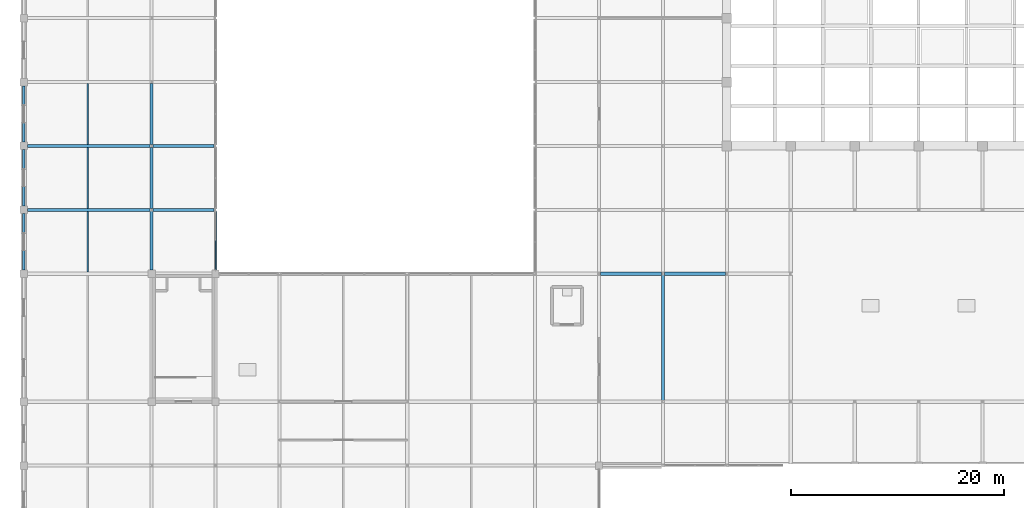
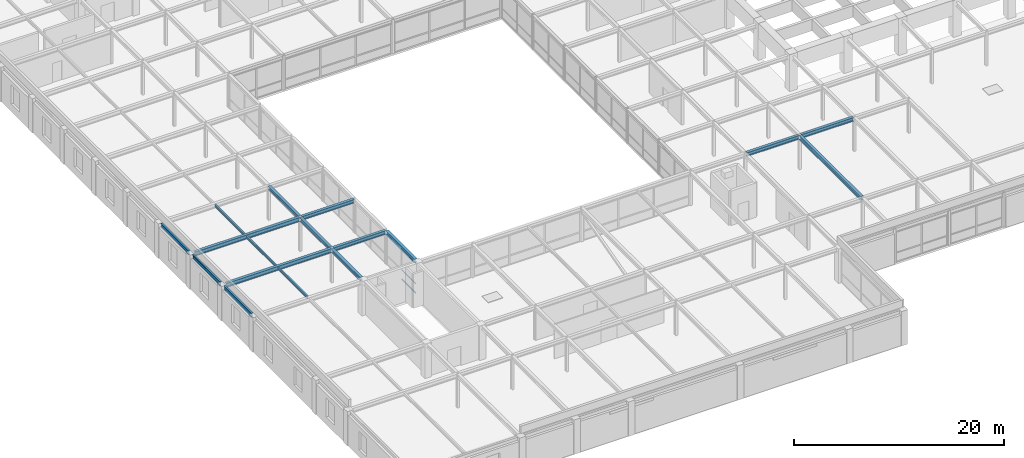
# One storey, part 41 of 111: 17 beams, 3 members, 1 element without a shape of its own.
"""IFC4 building model written with IfcOpenShell, lengths in metres."""

from ifc_helpers import new_model, si_unit, direction, frame, origin, origin_2d, place, context, subcontext, project, spatial, hollow_rectangle, i_section, extrude, material, layer, layer_set, material_profile, profile_set, type_object, element, aggregate, save


model = new_model("IFC4")

# Units and contexts
model_context = context("Model", 3, precision=1e-05, world=origin(), true_north=direction((0.0, 1.0)))
body_context = subcontext(model_context, "Body", "Model", "MODEL_VIEW")
ifc_project = project(units=[si_unit("LENGTHUNIT", "METRE"), si_unit("AREAUNIT", "SQUARE_METRE"), si_unit("VOLUMEUNIT", "CUBIC_METRE"), si_unit("PLANEANGLEUNIT", "RADIAN"), si_unit("MASSUNIT", "GRAM", prefix="KILO")], contexts=[model_context])

# Site, building, storey
site_placement = place(None, origin())
site = spatial("IfcSite", under=ifc_project, at=site_placement, CompositionType="ELEMENT")
building_placement = place(site_placement, origin())
building = spatial("IfcBuilding", under=site, at=building_placement, Name="Zlatovratsky Civic Hall", CompositionType="ELEMENT")
storey_placement = place(building_placement, frame((0.0, 0.0, 16.5)))
storey = spatial("IfcBuildingStorey", under=building, at=storey_placement, Name="L04", CompositionType="ELEMENT", Elevation=16.5)

# Beams
ifc_material_1 = material(Name="Steel S355", Category="steel")
ifc_material_profile_1 = material_profile(ifc_material_1, i_section(OverallWidth=0.300048828125, OverallDepth=0.487060546875, WebThickness=0.014404296875, FlangeThickness=0.017578125, FilletRadius=0.02392578125, at=origin_2d()), Name="50Sh2")
ifc_profile_set_1 = profile_set([ifc_material_profile_1], Name="Steel S355")
beam_type_1 = type_object("IfcBeamType", Name="Beam_ArchiveGirder_50Sh2", PredefinedType="BEAM", material=ifc_profile_set_1)
for number, where, z_axis, x_axis, name in (
    (1, (0.35009765625, 36.0, 3.756591796875), (1.0, 0.0, 0.0), (0.0, 1.0, 0.0), "BM-3274"),
    (2, (0.35009765625, 42.0, 3.756591796875), (1.0, 0.0, 0.0), (0.0, 1.0, 0.0), "BM-3290"),
):
    element("IfcBeam", number, at=place(storey_placement, frame(where, z_axis=z_axis, x_axis=x_axis)), inside=storey, type_object=beam_type_1, Name=name, PredefinedType="BEAM", context=body_context, shape_type="SweptSolid", body=[
        extrude(i_section(OverallWidth=0.300048828125, OverallDepth=0.487060546875, WebThickness=0.014404296875, FlangeThickness=0.017578125, FilletRadius=0.02392578125, at=origin_2d()), origin(), (0.0, 0.0, 1.0), 11.52490234375),
    ])
beam_1_placement = place(storey_placement, frame((60.0, 18.125, 3.756591796875), z_axis=(0.0, 1.0, 0.0), x_axis=(-1.0, 0.0, 0.0)))
element("IfcBeam", 3, at=beam_1_placement, inside=storey, type_object=beam_type_1, Name="BM-3620", PredefinedType="BEAM", context=body_context, shape_type="SweptSolid", body=[
    extrude(i_section(OverallWidth=0.300048828125, OverallDepth=0.487060546875, WebThickness=0.014404296875, FlangeThickness=0.017578125, FilletRadius=0.02392578125, at=origin_2d()), origin(), (0.0, 0.0, 1.0), 11.75),
])
ifc_material_profile_2 = material_profile(ifc_material_1, i_section(OverallWidth=0.198974609375, OverallDepth=0.491943359375, WebThickness=0.0087890625, FlangeThickness=0.011962890625, FilletRadius=0.01611328125, at=origin_2d()), Name="50B1")
ifc_profile_set_2 = profile_set([ifc_material_profile_2], Name="Steel S355")
beam_type_2 = type_object("IfcBeamType", Name="Beam_Spandrel_50B1", PredefinedType="SPANDREL", material=ifc_profile_set_2)
for number, where, z_axis, x_axis, name in (
    (4, (0.0, 30.35009765625, 3.75390625), (0.0, 1.0, 0.0), (-1.0, 0.0, 0.0), "BM-3515"),
    (5, (0.0, 36.35009765625, 3.75390625), (0.0, 1.0, 0.0), (-1.0, 0.0, 0.0), "BM-3516"),
    (6, (0.0, 42.35009765625, 3.75390625), (0.0, 1.0, 0.0), (-1.0, 0.0, 0.0), "BM-3517"),
):
    element("IfcBeam", number, at=place(storey_placement, frame(where, z_axis=z_axis, x_axis=x_axis)), inside=storey, type_object=beam_type_2, Name=name, PredefinedType="SPANDREL", context=body_context, shape_type="SweptSolid", body=[
        extrude(i_section(OverallWidth=0.198974609375, OverallDepth=0.491943359375, WebThickness=0.0087890625, FlangeThickness=0.011962890625, FilletRadius=0.01611328125, at=origin_2d()), origin(), (0.0, 0.0, 1.0), 5.2998046875),
    ])
ifc_material_profile_3 = material_profile(ifc_material_1, i_section(OverallWidth=0.300048828125, OverallDepth=0.43994140625, WebThickness=0.010986328125, FlangeThickness=0.01806640625, FilletRadius=0.02197265625, at=origin_2d()), Name="45Sh1")
ifc_profile_set_3 = profile_set([ifc_material_profile_3], Name="Steel S355")
beam_type_3 = type_object("IfcBeamType", Name="Beam_TowerLow_45Sh1", PredefinedType="BEAM", material=ifc_profile_set_3)
for number, where, z_axis, x_axis, name in (
    (7, (54.125, 30.0, 3.780029296875), (1.0, 0.0, 0.0), (0.0, 1.0, 0.0), "BM-3262"),
    (8, (60.125, 30.0, 3.780029296875), (1.0, 0.0, 0.0), (0.0, 1.0, 0.0), "BM-3263"),
    (9, (12.125, 36.0, 3.780029296875), (1.0, 0.0, 0.0), (0.0, 1.0, 0.0), "BM-3275"),
    (10, (12.125, 42.0, 3.780029296875), (1.0, 0.0, 0.0), (0.0, 1.0, 0.0), "BM-3291"),
):
    element("IfcBeam", number, at=place(storey_placement, frame(where, z_axis=z_axis, x_axis=x_axis)), inside=storey, type_object=beam_type_3, Name=name, PredefinedType="BEAM", context=body_context, shape_type="SweptSolid", body=[
        extrude(i_section(OverallWidth=0.300048828125, OverallDepth=0.43994140625, WebThickness=0.010986328125, FlangeThickness=0.01806640625, FilletRadius=0.02197265625, at=origin_2d()), origin(), (0.0, 0.0, 1.0), 5.75),
    ])
beam_2_placement = place(storey_placement, frame((12.0, 30.35009765625, 3.780029296875), z_axis=(0.0, 1.0, 0.0), x_axis=(-1.0, 0.0, 0.0)))
element("IfcBeam", 11, at=beam_2_placement, inside=storey, type_object=beam_type_3, Name="BM-3532", PredefinedType="BEAM", context=body_context, shape_type="SweptSolid", body=[
    extrude(i_section(OverallWidth=0.300048828125, OverallDepth=0.43994140625, WebThickness=0.010986328125, FlangeThickness=0.01806640625, FilletRadius=0.02197265625, at=origin_2d()), origin(), (0.0, 0.0, 1.0), 5.52490234375),
])
for number, where, z_axis, x_axis, name in (
    (12, (12.0, 36.125, 3.780029296875), (0.0, 1.0, 0.0), (-1.0, 0.0, 0.0), "BM-3533"),
    (13, (12.0, 42.125, 3.780029296875), (0.0, 1.0, 0.0), (-1.0, 0.0, 0.0), "BM-3534"),
):
    element("IfcBeam", number, at=place(storey_placement, frame(where, z_axis=z_axis, x_axis=x_axis)), inside=storey, type_object=beam_type_3, Name=name, PredefinedType="BEAM", context=body_context, shape_type="SweptSolid", body=[
        extrude(i_section(OverallWidth=0.300048828125, OverallDepth=0.43994140625, WebThickness=0.010986328125, FlangeThickness=0.01806640625, FilletRadius=0.02197265625, at=origin_2d()), origin(), (0.0, 0.0, 1.0), 5.75),
    ])
beam_3_placement = place(storey_placement, frame((18.0, 30.35009765625, 3.780029296875), z_axis=(0.0, 1.0, 0.0), x_axis=(-1.0, 0.0, 0.0)))
element("IfcBeam", 14, at=beam_3_placement, inside=storey, type_object=beam_type_3, Name="BM-3549", PredefinedType="BEAM", context=body_context, shape_type="SweptSolid", body=[
    extrude(i_section(OverallWidth=0.300048828125, OverallDepth=0.43994140625, WebThickness=0.010986328125, FlangeThickness=0.01806640625, FilletRadius=0.02197265625, at=origin_2d()), origin(), (0.0, 0.0, 1.0), 5.52490234375),
])

# Curtain wall, members
ifc_material_2 = material(Name="Anodised bronze aluminium", Category="aluminium")
ifc_layer = layer(ifc_material_2, 0.159912109375)
ifc_layer_set = layer_set([ifc_layer], Name="Anodised bronze aluminium")
curtain_wall_type = type_object("IfcCurtainWallType", Name="CurtainWall_Bronze_5520x3550_16", PredefinedType="NOTDEFINED", material=ifc_layer_set)
curtain_wall_placement = place(storey_placement, origin())
curtain_wall = element("IfcCurtainWall", 15, at=curtain_wall_placement, inside=storey, type_object=curtain_wall_type, Name="CW-099", PredefinedType="NOTDEFINED")
ifc_material_profile_4 = material_profile(ifc_material_2, hollow_rectangle(XDim=0.06005859375, YDim=0.1201171875, WallThickness=0.00390625, at=origin_2d()), Name="ALU 60x120x4")
ifc_profile_set_4 = profile_set([ifc_material_profile_4], Name="Anodised bronze aluminium")
member_type = type_object("IfcMemberType", Name="CW_Transom_60x120", PredefinedType="USERDEFINED", material=ifc_profile_set_4)
member_1_placement = place(storey_placement, frame((18.0, 30.409912109375, 0.030029296875), z_axis=(0.0, 1.0, 0.0), x_axis=(-1.0, 0.0, 0.0)))
member_1 = element("IfcMember", 16, at=member_1_placement, type_object=member_type, Name="CW-16 transom 1.1", ObjectType="TRANSOM", PredefinedType="USERDEFINED", context=body_context, shape_type="SweptSolid", body=[
    extrude(hollow_rectangle(XDim=0.06005859375, YDim=0.1201171875, WallThickness=0.00390625, at=origin_2d()), origin(), (0.0, 0.0, 1.0), 2.672607421875),
])
member_2_placement = place(storey_placement, frame((18.0, 30.409912109375, 1.10009765625), z_axis=(0.0, 1.0, 0.0), x_axis=(-1.0, 0.0, 0.0)))
member_2 = element("IfcMember", 17, at=member_2_placement, type_object=member_type, Name="CW-16 transom 1.2", ObjectType="TRANSOM", PredefinedType="USERDEFINED", context=body_context, shape_type="SweptSolid", body=[
    extrude(hollow_rectangle(XDim=0.06005859375, YDim=0.1201171875, WallThickness=0.00390625, at=origin_2d()), origin(), (0.0, 0.0, 1.0), 2.672607421875),
])
member_3_placement = place(storey_placement, frame((18.0, 30.409912109375, 3.52001953125), z_axis=(0.0, 1.0, 0.0), x_axis=(-1.0, 0.0, 0.0)))
member_3 = element("IfcMember", 18, at=member_3_placement, type_object=member_type, Name="CW-16 transom 1.3", ObjectType="TRANSOM", PredefinedType="USERDEFINED", context=body_context, shape_type="SweptSolid", body=[
    extrude(hollow_rectangle(XDim=0.06005859375, YDim=0.1201171875, WallThickness=0.00390625, at=origin_2d()), origin(), (0.0, 0.0, 1.0), 2.672607421875),
])
aggregate(curtain_wall, [member_1, member_2, member_3])

# Beams
ifc_material_profile_5 = material_profile(ifc_material_1, i_section(OverallWidth=0.14892578125, OverallDepth=0.2958984375, WebThickness=0.005615234375, FlangeThickness=0.008056640625, FilletRadius=0.012939453125, at=origin_2d()), Name="30B1")
ifc_profile_set_5 = profile_set([ifc_material_profile_5], Name="Steel S355")
beam_type_4 = type_object("IfcBeamType", Name="Joist_Tower_30B1", PredefinedType="JOIST", material=ifc_profile_set_5)
for number, where, z_axis, x_axis, name in (
    (19, (6.0, 30.14990234375, 3.85205078125), (0.0, 1.0, 0.0), (-1.0, 0.0, 0.0), "BM-3847"),
    (20, (6.0, 36.14990234375, 3.85205078125), (0.0, 1.0, 0.0), (-1.0, 0.0, 0.0), "BM-3849"),
    (21, (6.0, 42.14990234375, 3.85205078125), (0.0, 1.0, 0.0), (-1.0, 0.0, 0.0), "BM-3851"),
):
    element("IfcBeam", number, at=place(storey_placement, frame(where, z_axis=z_axis, x_axis=x_axis)), inside=storey, type_object=beam_type_4, Name=name, PredefinedType="JOIST", context=body_context, shape_type="SweptSolid", body=[
        extrude(i_section(OverallWidth=0.14892578125, OverallDepth=0.2958984375, WebThickness=0.005615234375, FlangeThickness=0.008056640625, FilletRadius=0.012939453125, at=origin_2d()), origin(), (0.0, 0.0, 1.0), 5.7001953125),
    ])

save(model, "model.ifc")
